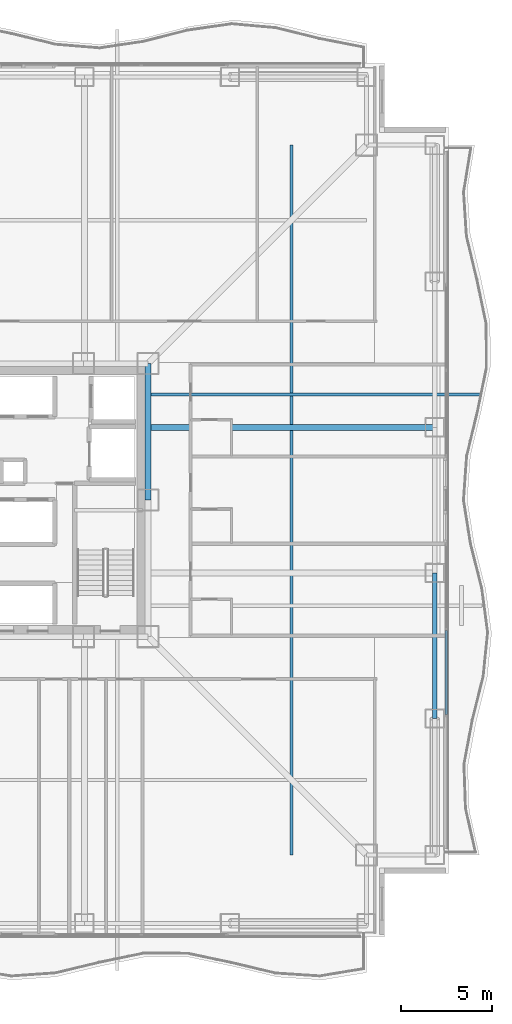
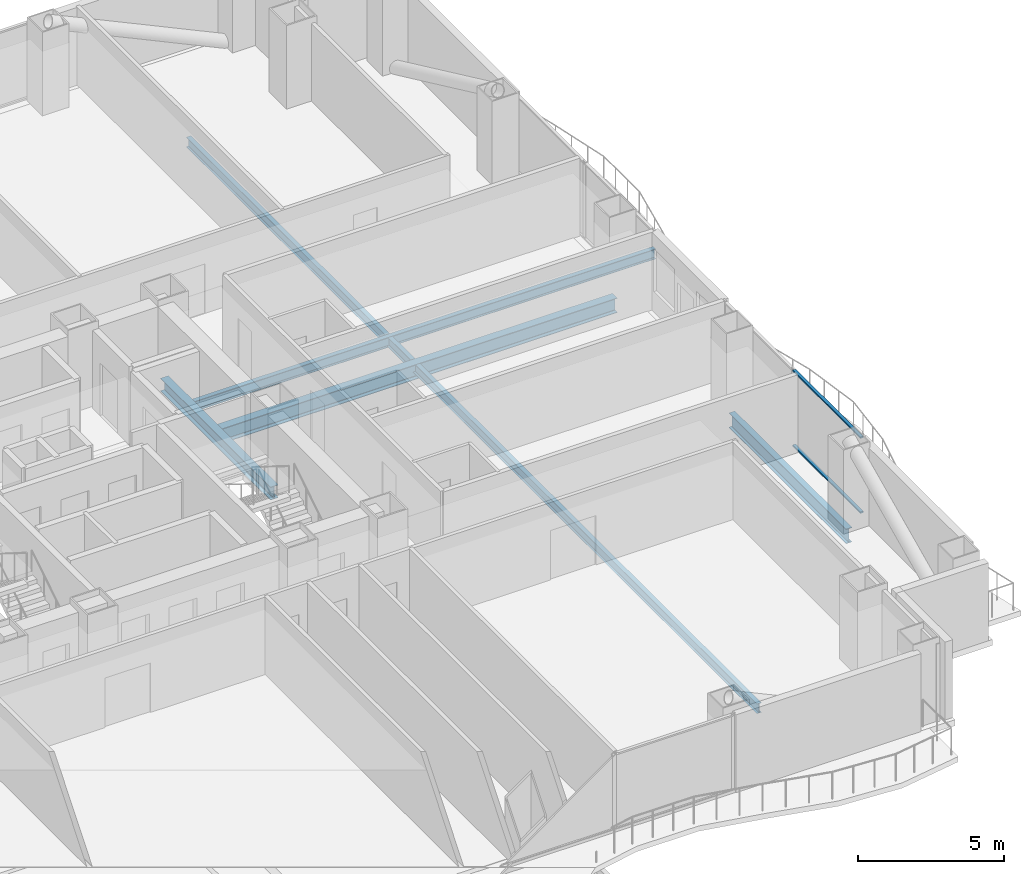
# One storey, part 7 of 24: 5 beams, 2 members, 1 element without a shape of its own.
"""IFC4 building model written with IfcOpenShell, lengths in metres."""

import ifcopenshell
import ifcopenshell.guid

model = None  # the IFC model being written
_history = None  # IfcOwnerHistory: only IFC2X3 demands one
_inside = {}  # id of a spatial element -> (the spatial element, [elements in it])
_under = {}  # id of a project, library or spatial element -> (it, [spatial elements below it])
_declared = {}  # id of a project -> (the project, [libraries it declares])
_typed = {}  # id of a type object -> (the type object, [elements of that type])
_made_of = {}  # id of a material, layer set ... -> (it, [elements and type objects made of it])


def new_model(schema):
    """Start an empty IFC model of exactly this schema.

    Asked for "IFC4X3", IfcOpenShell would pick the latest addendum, in which some entities
    have other attributes; the version numbers below select the first issue.
    IFC2X3 requires an IfcOwnerHistory on every rooted entity: one is made here for all.
    """
    global model, _history
    if schema == "IFC4X3":
        model = ifcopenshell.file(schema_version=(4, 3, 0, 0))
    else:
        model = ifcopenshell.file(schema=schema)
    _inside.clear()
    _under.clear()
    _declared.clear()
    _typed.clear()
    _made_of.clear()
    _history = None
    if model.schema == "IFC2X3":
        org = make("IfcOrganization", Name="unknown")
        user = make(
            "IfcPersonAndOrganization",
            ThePerson=make("IfcPerson", FamilyName="unknown"),
            TheOrganization=org,
        )
        app = make(
            "IfcApplication",
            ApplicationDeveloper=org,
            Version="unknown",
            ApplicationFullName="unknown",
            ApplicationIdentifier="unknown",
        )
        _history = make(
            "IfcOwnerHistory",
            OwningUser=user,
            OwningApplication=app,
            ChangeAction="ADDED",
            CreationDate=0,
        )
    return model


def make(cls, **values):
    """One entity of the class cls with the attributes given. An attribute that is None is left unset."""
    return model.create_entity(
        cls, **{name: value for name, value in values.items() if value is not None}
    )


def rooted(cls, **values):
    """An entity with a GlobalId (a new one), such as an element, a storey or a relation."""
    return make(cls, GlobalId=ifcopenshell.guid.new(), OwnerHistory=_history, **values)


def si_unit(unit_type, name, prefix=None):
    """IfcSIUnit, for example si_unit("LENGTHUNIT", "METRE", prefix="MILLI")."""
    return make("IfcSIUnit", UnitType=unit_type, Prefix=prefix, Name=name)


def assignment(units):
    """IfcUnitAssignment: the units of a project."""
    return None if units is None else make("IfcUnitAssignment", Units=units)


def point(xyz):
    """IfcCartesianPoint."""
    return None if xyz is None else make("IfcCartesianPoint", Coordinates=xyz)


def direction(xyz):
    """IfcDirection."""
    return None if xyz is None else make("IfcDirection", DirectionRatios=xyz)


def frame(location, z_axis=None, x_axis=None):
    """IfcAxis2Placement3D, a coordinate frame: its origin and axes. An axis left out is left unset."""
    return make(
        "IfcAxis2Placement3D",
        Location=point(location),
        Axis=direction(z_axis),
        RefDirection=direction(x_axis),
    )


def frame_2d(location, x_axis=None):
    """IfcAxis2Placement2D, a coordinate frame in the plane: its origin and x axis."""
    return make(
        "IfcAxis2Placement2D", Location=point(location), RefDirection=direction(x_axis)
    )


def origin():
    """The frame at (0, 0, 0) with its axes left unset."""
    return frame((0.0, 0.0, 0.0))


def origin_2d():
    """The frame at (0, 0) in the plane with its x axis left unset."""
    return frame_2d((0.0, 0.0))


def place(relative_to, where):
    """IfcLocalPlacement: puts the frame where relative to a parent placement (None: the world)."""
    return make(
        "IfcLocalPlacement", PlacementRelTo=relative_to, RelativePlacement=where
    )


def context(
    kind, dimensions, precision=None, world=None, true_north=None, identifier=None
):
    """IfcGeometricRepresentationContext, for example the 3D "Model" context."""
    return make(
        "IfcGeometricRepresentationContext",
        ContextIdentifier=identifier,
        ContextType=kind,
        CoordinateSpaceDimension=dimensions,
        Precision=precision,
        WorldCoordinateSystem=world,
        TrueNorth=true_north,
    )


def subcontext(parent, identifier, kind, view, scale=None):
    """IfcGeometricRepresentationSubContext, for example "Body" below "Model"."""
    return make(
        "IfcGeometricRepresentationSubContext",
        ContextIdentifier=identifier,
        ContextType=kind,
        ParentContext=parent,
        TargetScale=scale,
        TargetView=view,
    )


def project(units=None, contexts=None):
    """IfcProject with its units and contexts."""
    return rooted(
        "IfcProject",
        Name="project",
        RepresentationContexts=contexts,
        UnitsInContext=assignment(units),
    )


def spatial(cls, under=None, at=None, **own):
    """A site, building, storey or space (cls), placed at a placement, below another one or the project."""
    s = rooted(cls, ObjectPlacement=at, **own)
    if under is not None:
        _under.setdefault(under.id(), (under, []))[1].append(s)
    return s


def profile(cls, at=None, kind="AREA", **sizes):
    """A parametric profile (cls). Its sizes go by their IFC names, for example OverallWidth=200.0."""
    return make(cls, ProfileType=kind, Position=at, **sizes)


def rectangle(**sizes):
    """IfcRectangleProfileDef."""
    return profile("IfcRectangleProfileDef", **sizes)


def i_section(**sizes):
    """IfcIShapeProfileDef."""
    return profile("IfcIShapeProfileDef", **sizes)


def extrude(swept, where, along, depth):
    """IfcExtrudedAreaSolid: the profile swept, set in the frame where, extruded along a direction by depth."""
    return make(
        "IfcExtrudedAreaSolid",
        SweptArea=swept,
        Position=where,
        ExtrudedDirection=direction(along),
        Depth=depth,
    )


def shape(context_of_items, identifier, shape_type, items):
    """IfcShapeRepresentation: the items that make up one representation, for example the "Body"."""
    return make(
        "IfcShapeRepresentation",
        ContextOfItems=context_of_items,
        RepresentationIdentifier=identifier,
        RepresentationType=shape_type,
        Items=items,
    )


def material(Name=None, Category=None):
    """IfcMaterial."""
    return make("IfcMaterial", Name=Name, Category=Category)


def layer(
    of_material, thickness, ventilated=None, Name=None, Category=None, Priority=None
):
    """IfcMaterialLayer: one layer of a wall or slab, of a material (None: an air gap)."""
    return make(
        "IfcMaterialLayer",
        Material=of_material,
        LayerThickness=thickness,
        IsVentilated=ventilated,
        Name=Name,
        Category=Category,
        Priority=Priority,
    )


def layer_set(layers, Name=None):
    """IfcMaterialLayerSet."""
    return make("IfcMaterialLayerSet", MaterialLayers=layers, LayerSetName=Name)


def material_profile(
    of_material, cross_section, Name=None, Category=None, Priority=None
):
    """IfcMaterialProfile: a cross section and its material."""
    return make(
        "IfcMaterialProfile",
        Name=Name,
        Material=of_material,
        Profile=cross_section,
        Priority=Priority,
        Category=Category,
    )


def profile_set(profiles, Name=None, composite=None):
    """IfcMaterialProfileSet."""
    return make(
        "IfcMaterialProfileSet",
        Name=Name,
        MaterialProfiles=profiles,
        CompositeProfile=composite,
    )


def made_of(thing, what):
    """Note that an element or type object is made of a material, layer set ...; save() writes the relation."""
    if what is not None:
        _made_of.setdefault(what.id(), (what, []))[1].append(thing)
    return thing


def type_object(cls, material=None, **own):
    """A type object (cls), such as IfcWallType, which elements share."""
    return made_of(rooted(cls, **own), material)


def element(
    cls,
    number,
    at=None,
    inside=None,
    cuts=None,
    type_object=None,
    material=None,
    context=None,
    identifier="Body",
    shape_type=None,
    held_by="IfcProductDefinitionShape",
    body=None,
    shapes=None,
    **own,
):
    """One element of the class cls, such as IfcWall. Its Tag is "e" and its number.

    at: its placement. inside: the storey or other place that contains it. cuts: it is an
    opening in that element (IfcRelVoidsElement). A single representation is given by context,
    identifier, shape_type and body (its items); several are given by shapes. held_by: the class
    of the entity that holds the representations. save() writes the other relations.
    """
    e = rooted(cls, Tag="e%d" % number, ObjectPlacement=at, **own)
    if body is not None:
        shapes = [shape(context, identifier, shape_type, body)]
    if shapes is not None:
        e.Representation = make(held_by, Representations=shapes)
    if inside is not None:
        _inside.setdefault(inside.id(), (inside, []))[1].append(e)
    if cuts is not None:
        rooted(
            "IfcRelVoidsElement", RelatingBuildingElement=cuts, RelatedOpeningElement=e
        )
    if type_object is not None:
        _typed.setdefault(type_object.id(), (type_object, []))[1].append(e)
    return made_of(e, material)


def aggregate(whole, parts):
    """IfcRelAggregates: a whole, such as a stair, and the parts it consists of."""
    return rooted("IfcRelAggregates", RelatingObject=whole, RelatedObjects=parts)


def save(model, path):
    """Write the relations noted so far, then the file.

    IfcRelAggregates (storeys below a building ...), IfcRelContainedInSpatialStructure (elements
    in a storey), IfcRelDefinesByType, IfcRelAssociatesMaterial and IfcRelDeclares: one each for
    every whole, place, type object, material and project.
    """
    for whole, parts in _under.values():
        aggregate(whole, parts)
    for where, things in _inside.values():
        rooted(
            "IfcRelContainedInSpatialStructure",
            RelatedElements=things,
            RelatingStructure=where,
        )
    for kind, things in _typed.values():
        rooted("IfcRelDefinesByType", RelatedObjects=things, RelatingType=kind)
    for what, things in _made_of.values():
        rooted("IfcRelAssociatesMaterial", RelatedObjects=things, RelatingMaterial=what)
    for by, libraries in _declared.values():
        rooted("IfcRelDeclares", RelatingContext=by, RelatedDefinitions=libraries)
    model.write(path)


model = new_model("IFC4")

# Units and contexts
model_context = context("Model", 3, precision=1e-05, world=origin(), true_north=direction((0.0, 1.0)))
body_context = subcontext(model_context, "Body", "Model", "MODEL_VIEW")
ifc_project = project(units=[si_unit("LENGTHUNIT", "METRE"), si_unit("AREAUNIT", "SQUARE_METRE"), si_unit("VOLUMEUNIT", "CUBIC_METRE"), si_unit("PLANEANGLEUNIT", "RADIAN"), si_unit("MASSUNIT", "GRAM", prefix="KILO")], contexts=[model_context])

# Site, building, storey
site_placement = place(None, origin())
site = spatial("IfcSite", under=ifc_project, at=site_placement, CompositionType="ELEMENT")
building_placement = place(site_placement, origin())
building = spatial("IfcBuilding", under=site, at=building_placement, Name="Trevonay Congress Spire", CompositionType="ELEMENT")
storey_placement = place(building_placement, frame((0.0, 0.0, 55.0)))
storey = spatial("IfcBuildingStorey", under=building, at=storey_placement, Name="L13", CompositionType="ELEMENT", Elevation=55.0)

# Beams
ifc_material_1 = material(Name="Steel ASTM A572 Grade 50", Category="steel")
ifc_material_profile_1 = material_profile(ifc_material_1, i_section(OverallWidth=0.31201171875, OverallDepth=0.54296875, WebThickness=0.0126953125, FlangeThickness=0.020263671875, FilletRadius=0.014892578125, at=origin_2d()), Name="W530x150")
ifc_profile_set_1 = profile_set([ifc_material_profile_1], Name="Steel ASTM A572 Grade 50")
beam_type_1 = type_object("IfcBeamType", Name="BM-GIRD-W530X150", PredefinedType="BEAM", material=ifc_profile_set_1)
beam_1_placement = place(storey_placement, frame((7.5, 0.0, -0.521484375), z_axis=(0.0, 1.0, 0.0), x_axis=(-1.0, 0.0, 0.0)))
element("IfcBeam", 1, at=beam_1_placement, inside=storey, type_object=beam_type_1, Name="L13 structural beam BM-L13-CR-E2", PredefinedType="BEAM", context=body_context, shape_type="SweptSolid", body=[
    extrude(i_section(OverallWidth=0.31201171875, OverallDepth=0.54296875, WebThickness=0.0126953125, FlangeThickness=0.020263671875, FilletRadius=0.014892578125, at=origin_2d()), origin(), (0.0, 0.0, 1.0), 7.5),
])
ifc_material_profile_2 = material_profile(ifc_material_1, i_section(OverallWidth=0.324951171875, OverallDepth=0.615966796875, WebThickness=0.013916015625, FlangeThickness=0.021484375, FilletRadius=0.01806640625, at=origin_2d()), Name="W610x174")
ifc_profile_set_2 = profile_set([ifc_material_profile_2], Name="Steel ASTM A572 Grade 50")
beam_type_2 = type_object("IfcBeamType", Name="BM-GIRD-W610X174", PredefinedType="BEAM", material=ifc_profile_set_2)
beam_2_placement = place(storey_placement, frame((7.5, 4.0, -0.55810546875), z_axis=(1.0, 0.0, 0.0), x_axis=(0.0, 1.0, 0.0)))
element("IfcBeam", 2, at=beam_2_placement, inside=storey, type_object=beam_type_2, Name="L13 structural beam BM-L13-GE-P", PredefinedType="BEAM", context=body_context, shape_type="SweptSolid", body=[
    extrude(i_section(OverallWidth=0.324951171875, OverallDepth=0.615966796875, WebThickness=0.013916015625, FlangeThickness=0.021484375, FilletRadius=0.01806640625, at=origin_2d()), origin(), (0.0, 0.0, 1.0), 15.75),
])
ifc_material_profile_3 = material_profile(ifc_material_1, i_section(OverallWidth=0.22998046875, OverallDepth=0.616943359375, WebThickness=0.01318359375, FlangeThickness=0.022216796875, FilletRadius=0.01611328125, at=origin_2d()), Name="W610x140")
ifc_profile_set_3 = profile_set([ifc_material_profile_3], Name="Steel ASTM A572 Grade 50")
beam_type_3 = type_object("IfcBeamType", Name="BM-RING-W610X140", PredefinedType="BEAM", material=ifc_profile_set_3)
beam_3_placement = place(storey_placement, frame((23.25, -12.0, -0.55859375), z_axis=(0.0, 1.0, 0.0), x_axis=(-1.0, 0.0, 0.0)))
element("IfcBeam", 3, at=beam_3_placement, inside=storey, type_object=beam_type_3, Name="L13 structural beam BM-L13-PE2", PredefinedType="BEAM", context=body_context, shape_type="SweptSolid", body=[
    extrude(i_section(OverallWidth=0.22998046875, OverallDepth=0.616943359375, WebThickness=0.01318359375, FlangeThickness=0.022216796875, FilletRadius=0.01611328125, at=origin_2d()), origin(), (0.0, 0.0, 1.0), 8.0),
])
ifc_material_profile_4 = material_profile(ifc_material_1, i_section(OverallWidth=0.180908203125, OverallDepth=0.4169921875, WebThickness=0.010986328125, FlangeThickness=0.018310546875, FilletRadius=0.012939453125, at=origin_2d()), Name="W410x85")
ifc_profile_set_4 = profile_set([ifc_material_profile_4], Name="Steel ASTM A572 Grade 50")
beam_type_4 = type_object("IfcBeamType", Name="BM-WAV-LOOKOUT", PredefinedType="BEAM", material=ifc_profile_set_4)
beam_4_placement = place(storey_placement, frame((7.5, 5.800048828125, -0.45849609375), z_axis=(1.0, 0.0, 0.0), x_axis=(0.0, 1.0, 0.0)))
element("IfcBeam", 4, at=beam_4_placement, inside=storey, type_object=beam_type_4, Name="L13 structural beam WLK-L13-E2", PredefinedType="BEAM", context=body_context, shape_type="SweptSolid", body=[
    extrude(i_section(OverallWidth=0.180908203125, OverallDepth=0.4169921875, WebThickness=0.010986328125, FlangeThickness=0.018310546875, FilletRadius=0.012939453125, at=origin_2d()), origin(), (0.0, 0.0, 1.0), 18.35009765625),
])

# Curtain wall, members
ifc_material_2 = material(Name="Pale Anodised Aluminium EN AW-6063-T6", Category="aluminium")
ifc_layer = layer(ifc_material_2, 0.179931640625, Name="Pale Anodised Aluminium EN AW-6063-T6")
ifc_layer_set = layer_set([ifc_layer], Name="Pale Anodised Aluminium EN AW-6063-T6")
curtain_wall_type = type_object("IfcCurtainWallType", Name="CW-SYS02-HOTEL-PALE-METAL", PredefinedType="NOTDEFINED", material=ifc_layer_set)
curtain_wall_placement = place(storey_placement, origin())
curtain_wall = element("IfcCurtainWall", 5, at=curtain_wall_placement, inside=storey, type_object=curtain_wall_type, Name="L13 EA unitised curtain wall", PredefinedType="NOTDEFINED")
ifc_material_profile_5 = material_profile(ifc_material_2, rectangle(XDim=0.1201171875, YDim=0.06005859375, at=origin_2d()), Name="CW-TRANSOM-120-ALUMINIUM")
ifc_profile_set_5 = profile_set([ifc_material_profile_5], Name="Pale Anodised Aluminium EN AW-6063-T6")
member_type = type_object("IfcMemberType", Name="CW-TRANSOM-120-ALUMINIUM", PredefinedType="USERDEFINED", material=ifc_profile_set_5)
member_1_placement = place(storey_placement, frame((23.8798828125, -11.7900390625, 0.06005859375), z_axis=(0.0, 1.0, 0.0), x_axis=(-1.0, 0.0, 0.0)))
member_1 = element("IfcMember", 6, at=member_1_placement, type_object=member_type, Name="CW02 transom 1.1", ObjectType="TRANSOM", PredefinedType="USERDEFINED", context=body_context, shape_type="SweptSolid", body=[
    extrude(rectangle(XDim=0.1201171875, YDim=0.06005859375, at=origin_2d()), origin(), (0.0, 0.0, 1.0), 4.635009765625),
])
member_2_placement = place(storey_placement, frame((23.8798828125, -11.7900390625, 3.18994140625), z_axis=(0.0, 1.0, 0.0), x_axis=(-1.0, 0.0, 0.0)))
member_2 = element("IfcMember", 7, at=member_2_placement, type_object=member_type, Name="CW02 transom 1.2", ObjectType="TRANSOM", PredefinedType="USERDEFINED", context=body_context, shape_type="SweptSolid", body=[
    extrude(rectangle(XDim=0.1201171875, YDim=0.06005859375, at=origin_2d()), origin(), (0.0, 0.0, 1.0), 4.635009765625),
])
aggregate(curtain_wall, [member_1, member_2])

# Beam
ifc_material_profile_6 = material_profile(ifc_material_1, i_section(OverallWidth=0.177978515625, OverallDepth=0.406982421875, WebThickness=0.0078125, FlangeThickness=0.0126953125, FilletRadius=0.012939453125, at=origin_2d()), Name="W410x60")
ifc_profile_set_6 = profile_set([ifc_material_profile_6], Name="Steel ASTM A572 Grade 50")
beam_type_5 = type_object("IfcBeamType", Name="JS-COMP-W410X60", PredefinedType="JOIST", material=ifc_profile_set_6)
beam_5_placement = place(storey_placement, frame((15.375, -19.5, -0.45361328125), z_axis=(0.0, 1.0, 0.0), x_axis=(-1.0, 0.0, 0.0)))
element("IfcBeam", 8, at=beam_5_placement, inside=storey, type_object=beam_type_5, Name="L13 structural beam JS-L13-RING-E", PredefinedType="JOIST", context=body_context, shape_type="SweptSolid", body=[
    extrude(i_section(OverallWidth=0.177978515625, OverallDepth=0.406982421875, WebThickness=0.0078125, FlangeThickness=0.0126953125, FilletRadius=0.012939453125, at=origin_2d()), origin(), (0.0, 0.0, 1.0), 39.0),
])

save(model, "model.ifc")
